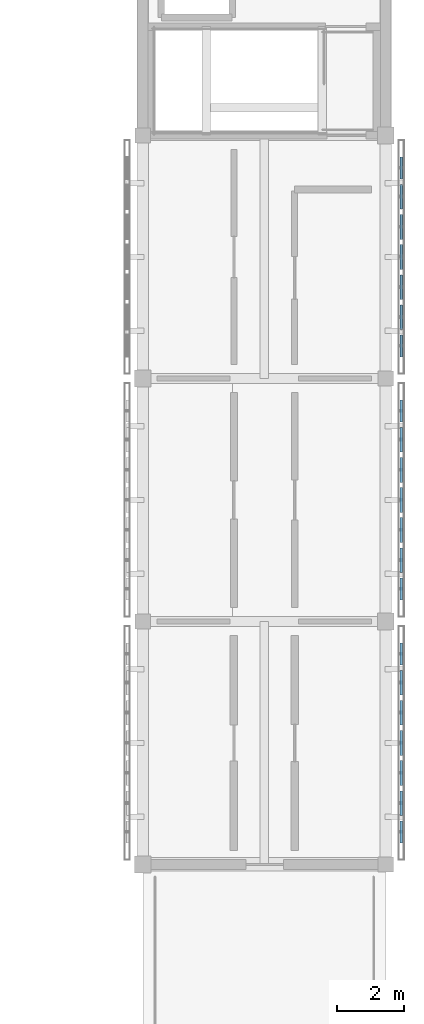
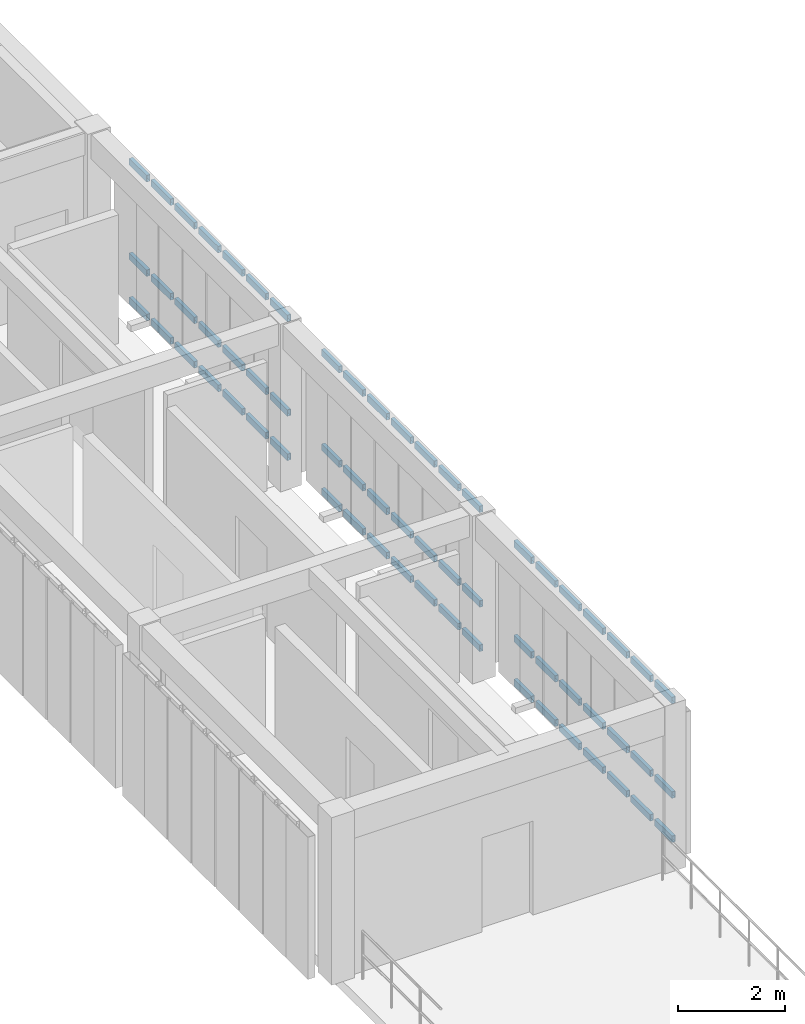
# One storey, part 12 of 33: 63 members, 3 elements without a shape of their own.
"""IFC4 building model written with IfcOpenShell, lengths in metres."""

from ifc_helpers import new_model, si_unit, direction, frame, origin, origin_2d, place, context, subcontext, project, spatial, hollow_rectangle, extrude, material, material_profile, profile_set, type_object, element, aggregate, save


model = new_model("IFC4")

# Units and contexts
model_context = context("Model", 3, precision=1e-05, world=origin(), true_north=direction((0.0, 1.0)))
body_context = subcontext(model_context, "Body", "Model", "MODEL_VIEW")
ifc_project = project(units=[si_unit("LENGTHUNIT", "METRE"), si_unit("AREAUNIT", "SQUARE_METRE"), si_unit("VOLUMEUNIT", "CUBIC_METRE"), si_unit("PLANEANGLEUNIT", "RADIAN"), si_unit("MASSUNIT", "GRAM", prefix="KILO")], contexts=[model_context])

# Site, building, storey
site_placement = place(None, origin())
site = spatial("IfcSite", under=ifc_project, at=site_placement, CompositionType="ELEMENT")
building_placement = place(site_placement, origin())
building = spatial("IfcBuilding", under=site, at=building_placement, Name="Aldebral Square Health Centre", CompositionType="ELEMENT")
storey_placement = place(building_placement, frame((0.0, 0.0, 17.550048828125)))
storey = spatial("IfcBuildingStorey", under=building, at=storey_placement, Name="L04", CompositionType="ELEMENT", Elevation=17.550048828125)

# Curtain wall, members
ifc_material_1 = material(Name="Aluminium and low-E solar glass", Category="aluminium")
curtain_wall_type = type_object("IfcCurtainWallType", Name="CW-FIN-SYS", PredefinedType="USERDEFINED", material=ifc_material_1)
curtain_wall_1_placement = place(storey_placement, origin())
curtain_wall_1 = element("IfcCurtainWall", 1, at=curtain_wall_1_placement, inside=storey, type_object=curtain_wall_type, Name="L04 V5 finned curtain wall L04-V5-22-10-E", ObjectType="SOLAR_CURTAIN_WALL", PredefinedType="USERDEFINED")
ifc_material_2 = material(Name="Anodised aluminium transom", Category="aluminium")
ifc_material_profile = material_profile(ifc_material_2, hollow_rectangle(XDim=0.074951171875, YDim=0.14990234375, WallThickness=0.00390625, at=origin_2d()), Name="CWT 75x150x4")
ifc_profile_set = profile_set([ifc_material_profile], Name="Anodised aluminium transom")
member_type = type_object("IfcMemberType", Name="CWT-STD", PredefinedType="USERDEFINED", material=ifc_profile_set)
member_1_placement = place(storey_placement, frame((166.06005859375, 72.639892578125, 0.037353515625), z_axis=(0.0, 1.0, 0.0), x_axis=(-1.0, 0.0, 0.0)))
member_1 = element("IfcMember", 2, at=member_1_placement, type_object=member_type, Name="CW1 transom 1.1", ObjectType="TRANSOM", PredefinedType="USERDEFINED", context=body_context, shape_type="SweptSolid", body=[
    extrude(hollow_rectangle(XDim=0.074951171875, YDim=0.14990234375, WallThickness=0.00390625, at=origin_2d()), origin(), (0.0, 0.0, 1.0), 0.651611328125),
])
member_2_placement = place(storey_placement, frame((166.06005859375, 72.639892578125, 1.050048828125), z_axis=(0.0, 1.0, 0.0), x_axis=(-1.0, 0.0, 0.0)))
member_2 = element("IfcMember", 3, at=member_2_placement, type_object=member_type, Name="CW1 transom 1.2", ObjectType="TRANSOM", PredefinedType="USERDEFINED", context=body_context, shape_type="SweptSolid", body=[
    extrude(hollow_rectangle(XDim=0.074951171875, YDim=0.14990234375, WallThickness=0.00390625, at=origin_2d()), origin(), (0.0, 0.0, 1.0), 0.651611328125),
])
member_3_placement = place(storey_placement, frame((166.06005859375, 72.639892578125, 3.21240234375), z_axis=(0.0, 1.0, 0.0), x_axis=(-1.0, 0.0, 0.0)))
member_3 = element("IfcMember", 4, at=member_3_placement, type_object=member_type, Name="CW1 transom 1.3", ObjectType="TRANSOM", PredefinedType="USERDEFINED", context=body_context, shape_type="SweptSolid", body=[
    extrude(hollow_rectangle(XDim=0.074951171875, YDim=0.14990234375, WallThickness=0.00390625, at=origin_2d()), origin(), (0.0, 0.0, 1.0), 0.651611328125),
])
member_4_placement = place(storey_placement, frame((166.06005859375, 73.451416015625, 0.037353515625), z_axis=(0.0, 1.0, 0.0), x_axis=(-1.0, 0.0, 0.0)))
member_4 = element("IfcMember", 5, at=member_4_placement, type_object=member_type, Name="CW1 transom 2.1", ObjectType="TRANSOM", PredefinedType="USERDEFINED", context=body_context, shape_type="SweptSolid", body=[
    extrude(hollow_rectangle(XDim=0.074951171875, YDim=0.14990234375, WallThickness=0.00390625, at=origin_2d()), origin(), (0.0, 0.0, 1.0), 0.7314453125),
])
member_5_placement = place(storey_placement, frame((166.06005859375, 73.451416015625, 1.050048828125), z_axis=(0.0, 1.0, 0.0), x_axis=(-1.0, 0.0, 0.0)))
member_5 = element("IfcMember", 6, at=member_5_placement, type_object=member_type, Name="CW1 transom 2.2", ObjectType="TRANSOM", PredefinedType="USERDEFINED", context=body_context, shape_type="SweptSolid", body=[
    extrude(hollow_rectangle(XDim=0.074951171875, YDim=0.14990234375, WallThickness=0.00390625, at=origin_2d()), origin(), (0.0, 0.0, 1.0), 0.7314453125),
])
member_6_placement = place(storey_placement, frame((166.06005859375, 73.451416015625, 3.21240234375), z_axis=(0.0, 1.0, 0.0), x_axis=(-1.0, 0.0, 0.0)))
member_6 = element("IfcMember", 7, at=member_6_placement, type_object=member_type, Name="CW1 transom 2.3", ObjectType="TRANSOM", PredefinedType="USERDEFINED", context=body_context, shape_type="SweptSolid", body=[
    extrude(hollow_rectangle(XDim=0.074951171875, YDim=0.14990234375, WallThickness=0.00390625, at=origin_2d()), origin(), (0.0, 0.0, 1.0), 0.7314453125),
])
member_7_placement = place(storey_placement, frame((166.06005859375, 74.3427734375, 0.037353515625), z_axis=(0.0, 1.0, 0.0), x_axis=(-1.0, 0.0, 0.0)))
member_7 = element("IfcMember", 8, at=member_7_placement, type_object=member_type, Name="CW1 transom 3.1", ObjectType="TRANSOM", PredefinedType="USERDEFINED", context=body_context, shape_type="SweptSolid", body=[
    extrude(hollow_rectangle(XDim=0.074951171875, YDim=0.14990234375, WallThickness=0.00390625, at=origin_2d()), origin(), (0.0, 0.0, 1.0), 0.7314453125),
])
member_8_placement = place(storey_placement, frame((166.06005859375, 74.3427734375, 1.050048828125), z_axis=(0.0, 1.0, 0.0), x_axis=(-1.0, 0.0, 0.0)))
member_8 = element("IfcMember", 9, at=member_8_placement, type_object=member_type, Name="CW1 transom 3.2", ObjectType="TRANSOM", PredefinedType="USERDEFINED", context=body_context, shape_type="SweptSolid", body=[
    extrude(hollow_rectangle(XDim=0.074951171875, YDim=0.14990234375, WallThickness=0.00390625, at=origin_2d()), origin(), (0.0, 0.0, 1.0), 0.7314453125),
])
member_9_placement = place(storey_placement, frame((166.06005859375, 74.3427734375, 3.21240234375), z_axis=(0.0, 1.0, 0.0), x_axis=(-1.0, 0.0, 0.0)))
member_9 = element("IfcMember", 10, at=member_9_placement, type_object=member_type, Name="CW1 transom 3.3", ObjectType="TRANSOM", PredefinedType="USERDEFINED", context=body_context, shape_type="SweptSolid", body=[
    extrude(hollow_rectangle(XDim=0.074951171875, YDim=0.14990234375, WallThickness=0.00390625, at=origin_2d()), origin(), (0.0, 0.0, 1.0), 0.7314453125),
])
member_10_placement = place(storey_placement, frame((166.06005859375, 75.234375, 0.037353515625), z_axis=(0.0, 1.0, 0.0), x_axis=(-1.0, 0.0, 0.0)))
member_10 = element("IfcMember", 11, at=member_10_placement, type_object=member_type, Name="CW1 transom 4.1", ObjectType="TRANSOM", PredefinedType="USERDEFINED", context=body_context, shape_type="SweptSolid", body=[
    extrude(hollow_rectangle(XDim=0.074951171875, YDim=0.14990234375, WallThickness=0.00390625, at=origin_2d()), origin(), (0.0, 0.0, 1.0), 0.7314453125),
])
member_11_placement = place(storey_placement, frame((166.06005859375, 75.234375, 1.050048828125), z_axis=(0.0, 1.0, 0.0), x_axis=(-1.0, 0.0, 0.0)))
member_11 = element("IfcMember", 12, at=member_11_placement, type_object=member_type, Name="CW1 transom 4.2", ObjectType="TRANSOM", PredefinedType="USERDEFINED", context=body_context, shape_type="SweptSolid", body=[
    extrude(hollow_rectangle(XDim=0.074951171875, YDim=0.14990234375, WallThickness=0.00390625, at=origin_2d()), origin(), (0.0, 0.0, 1.0), 0.7314453125),
])
member_12_placement = place(storey_placement, frame((166.06005859375, 75.234375, 3.21240234375), z_axis=(0.0, 1.0, 0.0), x_axis=(-1.0, 0.0, 0.0)))
member_12 = element("IfcMember", 13, at=member_12_placement, type_object=member_type, Name="CW1 transom 4.3", ObjectType="TRANSOM", PredefinedType="USERDEFINED", context=body_context, shape_type="SweptSolid", body=[
    extrude(hollow_rectangle(XDim=0.074951171875, YDim=0.14990234375, WallThickness=0.00390625, at=origin_2d()), origin(), (0.0, 0.0, 1.0), 0.7314453125),
])
member_13_placement = place(storey_placement, frame((166.06005859375, 76.125732421875, 0.037353515625), z_axis=(0.0, 1.0, 0.0), x_axis=(-1.0, 0.0, 0.0)))
member_13 = element("IfcMember", 14, at=member_13_placement, type_object=member_type, Name="CW1 transom 5.1", ObjectType="TRANSOM", PredefinedType="USERDEFINED", context=body_context, shape_type="SweptSolid", body=[
    extrude(hollow_rectangle(XDim=0.074951171875, YDim=0.14990234375, WallThickness=0.00390625, at=origin_2d()), origin(), (0.0, 0.0, 1.0), 0.7314453125),
])
member_14_placement = place(storey_placement, frame((166.06005859375, 76.125732421875, 1.050048828125), z_axis=(0.0, 1.0, 0.0), x_axis=(-1.0, 0.0, 0.0)))
member_14 = element("IfcMember", 15, at=member_14_placement, type_object=member_type, Name="CW1 transom 5.2", ObjectType="TRANSOM", PredefinedType="USERDEFINED", context=body_context, shape_type="SweptSolid", body=[
    extrude(hollow_rectangle(XDim=0.074951171875, YDim=0.14990234375, WallThickness=0.00390625, at=origin_2d()), origin(), (0.0, 0.0, 1.0), 0.7314453125),
])
member_15_placement = place(storey_placement, frame((166.06005859375, 76.125732421875, 3.21240234375), z_axis=(0.0, 1.0, 0.0), x_axis=(-1.0, 0.0, 0.0)))
member_15 = element("IfcMember", 16, at=member_15_placement, type_object=member_type, Name="CW1 transom 5.3", ObjectType="TRANSOM", PredefinedType="USERDEFINED", context=body_context, shape_type="SweptSolid", body=[
    extrude(hollow_rectangle(XDim=0.074951171875, YDim=0.14990234375, WallThickness=0.00390625, at=origin_2d()), origin(), (0.0, 0.0, 1.0), 0.7314453125),
])
member_16_placement = place(storey_placement, frame((166.06005859375, 77.01708984375, 0.037353515625), z_axis=(0.0, 1.0, 0.0), x_axis=(-1.0, 0.0, 0.0)))
member_16 = element("IfcMember", 17, at=member_16_placement, type_object=member_type, Name="CW1 transom 6.1", ObjectType="TRANSOM", PredefinedType="USERDEFINED", context=body_context, shape_type="SweptSolid", body=[
    extrude(hollow_rectangle(XDim=0.074951171875, YDim=0.14990234375, WallThickness=0.00390625, at=origin_2d()), origin(), (0.0, 0.0, 1.0), 0.7314453125),
])
member_17_placement = place(storey_placement, frame((166.06005859375, 77.01708984375, 1.050048828125), z_axis=(0.0, 1.0, 0.0), x_axis=(-1.0, 0.0, 0.0)))
member_17 = element("IfcMember", 18, at=member_17_placement, type_object=member_type, Name="CW1 transom 6.2", ObjectType="TRANSOM", PredefinedType="USERDEFINED", context=body_context, shape_type="SweptSolid", body=[
    extrude(hollow_rectangle(XDim=0.074951171875, YDim=0.14990234375, WallThickness=0.00390625, at=origin_2d()), origin(), (0.0, 0.0, 1.0), 0.7314453125),
])
member_18_placement = place(storey_placement, frame((166.06005859375, 77.01708984375, 3.21240234375), z_axis=(0.0, 1.0, 0.0), x_axis=(-1.0, 0.0, 0.0)))
member_18 = element("IfcMember", 19, at=member_18_placement, type_object=member_type, Name="CW1 transom 6.3", ObjectType="TRANSOM", PredefinedType="USERDEFINED", context=body_context, shape_type="SweptSolid", body=[
    extrude(hollow_rectangle(XDim=0.074951171875, YDim=0.14990234375, WallThickness=0.00390625, at=origin_2d()), origin(), (0.0, 0.0, 1.0), 0.7314453125),
])
member_19_placement = place(storey_placement, frame((166.06005859375, 77.90869140625, 0.037353515625), z_axis=(0.0, 1.0, 0.0), x_axis=(-1.0, 0.0, 0.0)))
member_19 = element("IfcMember", 20, at=member_19_placement, type_object=member_type, Name="CW1 transom 7.1", ObjectType="TRANSOM", PredefinedType="USERDEFINED", context=body_context, shape_type="SweptSolid", body=[
    extrude(hollow_rectangle(XDim=0.074951171875, YDim=0.14990234375, WallThickness=0.00390625, at=origin_2d()), origin(), (0.0, 0.0, 1.0), 0.6513671875),
])
member_20_placement = place(storey_placement, frame((166.06005859375, 77.90869140625, 1.050048828125), z_axis=(0.0, 1.0, 0.0), x_axis=(-1.0, 0.0, 0.0)))
member_20 = element("IfcMember", 21, at=member_20_placement, type_object=member_type, Name="CW1 transom 7.2", ObjectType="TRANSOM", PredefinedType="USERDEFINED", context=body_context, shape_type="SweptSolid", body=[
    extrude(hollow_rectangle(XDim=0.074951171875, YDim=0.14990234375, WallThickness=0.00390625, at=origin_2d()), origin(), (0.0, 0.0, 1.0), 0.6513671875),
])
member_21_placement = place(storey_placement, frame((166.06005859375, 77.90869140625, 3.21240234375), z_axis=(0.0, 1.0, 0.0), x_axis=(-1.0, 0.0, 0.0)))
member_21 = element("IfcMember", 22, at=member_21_placement, type_object=member_type, Name="CW1 transom 7.3", ObjectType="TRANSOM", PredefinedType="USERDEFINED", context=body_context, shape_type="SweptSolid", body=[
    extrude(hollow_rectangle(XDim=0.074951171875, YDim=0.14990234375, WallThickness=0.00390625, at=origin_2d()), origin(), (0.0, 0.0, 1.0), 0.6513671875),
])
aggregate(curtain_wall_1, [member_1, member_2, member_3, member_4, member_5, member_6, member_7, member_8, member_9, member_10, member_11, member_12, member_13, member_14, member_15, member_16, member_17, member_18, member_19, member_20, member_21])

curtain_wall_2_placement = place(storey_placement, origin())
curtain_wall_2 = element("IfcCurtainWall", 23, at=curtain_wall_2_placement, inside=storey, type_object=curtain_wall_type, Name="L04 V5 finned curtain wall L04-V5-22-11-E", ObjectType="SOLAR_CURTAIN_WALL", PredefinedType="USERDEFINED")
member_22_placement = place(storey_placement, frame((166.06005859375, 79.840087890625, 0.037353515625), z_axis=(0.0, 1.0, 0.0), x_axis=(-1.0, 0.0, 0.0)))
member_22 = element("IfcMember", 24, at=member_22_placement, type_object=member_type, Name="CW1 transom 1.1", ObjectType="TRANSOM", PredefinedType="USERDEFINED", context=body_context, shape_type="SweptSolid", body=[
    extrude(hollow_rectangle(XDim=0.074951171875, YDim=0.14990234375, WallThickness=0.00390625, at=origin_2d()), origin(), (0.0, 0.0, 1.0), 0.6513671875),
])
member_23_placement = place(storey_placement, frame((166.06005859375, 79.840087890625, 1.050048828125), z_axis=(0.0, 1.0, 0.0), x_axis=(-1.0, 0.0, 0.0)))
member_23 = element("IfcMember", 25, at=member_23_placement, type_object=member_type, Name="CW1 transom 1.2", ObjectType="TRANSOM", PredefinedType="USERDEFINED", context=body_context, shape_type="SweptSolid", body=[
    extrude(hollow_rectangle(XDim=0.074951171875, YDim=0.14990234375, WallThickness=0.00390625, at=origin_2d()), origin(), (0.0, 0.0, 1.0), 0.6513671875),
])
member_24_placement = place(storey_placement, frame((166.06005859375, 79.840087890625, 3.21240234375), z_axis=(0.0, 1.0, 0.0), x_axis=(-1.0, 0.0, 0.0)))
member_24 = element("IfcMember", 26, at=member_24_placement, type_object=member_type, Name="CW1 transom 1.3", ObjectType="TRANSOM", PredefinedType="USERDEFINED", context=body_context, shape_type="SweptSolid", body=[
    extrude(hollow_rectangle(XDim=0.074951171875, YDim=0.14990234375, WallThickness=0.00390625, at=origin_2d()), origin(), (0.0, 0.0, 1.0), 0.6513671875),
])
member_25_placement = place(storey_placement, frame((166.06005859375, 80.6513671875, 0.037353515625), z_axis=(0.0, 1.0, 0.0), x_axis=(-1.0, 0.0, 0.0)))
member_25 = element("IfcMember", 27, at=member_25_placement, type_object=member_type, Name="CW1 transom 2.1", ObjectType="TRANSOM", PredefinedType="USERDEFINED", context=body_context, shape_type="SweptSolid", body=[
    extrude(hollow_rectangle(XDim=0.074951171875, YDim=0.14990234375, WallThickness=0.00390625, at=origin_2d()), origin(), (0.0, 0.0, 1.0), 0.7314453125),
])
member_26_placement = place(storey_placement, frame((166.06005859375, 80.6513671875, 1.050048828125), z_axis=(0.0, 1.0, 0.0), x_axis=(-1.0, 0.0, 0.0)))
member_26 = element("IfcMember", 28, at=member_26_placement, type_object=member_type, Name="CW1 transom 2.2", ObjectType="TRANSOM", PredefinedType="USERDEFINED", context=body_context, shape_type="SweptSolid", body=[
    extrude(hollow_rectangle(XDim=0.074951171875, YDim=0.14990234375, WallThickness=0.00390625, at=origin_2d()), origin(), (0.0, 0.0, 1.0), 0.7314453125),
])
member_27_placement = place(storey_placement, frame((166.06005859375, 80.6513671875, 3.21240234375), z_axis=(0.0, 1.0, 0.0), x_axis=(-1.0, 0.0, 0.0)))
member_27 = element("IfcMember", 29, at=member_27_placement, type_object=member_type, Name="CW1 transom 2.3", ObjectType="TRANSOM", PredefinedType="USERDEFINED", context=body_context, shape_type="SweptSolid", body=[
    extrude(hollow_rectangle(XDim=0.074951171875, YDim=0.14990234375, WallThickness=0.00390625, at=origin_2d()), origin(), (0.0, 0.0, 1.0), 0.7314453125),
])
member_28_placement = place(storey_placement, frame((166.06005859375, 81.54296875, 0.037353515625), z_axis=(0.0, 1.0, 0.0), x_axis=(-1.0, 0.0, 0.0)))
member_28 = element("IfcMember", 30, at=member_28_placement, type_object=member_type, Name="CW1 transom 3.1", ObjectType="TRANSOM", PredefinedType="USERDEFINED", context=body_context, shape_type="SweptSolid", body=[
    extrude(hollow_rectangle(XDim=0.074951171875, YDim=0.14990234375, WallThickness=0.00390625, at=origin_2d()), origin(), (0.0, 0.0, 1.0), 0.731201171875),
])
member_29_placement = place(storey_placement, frame((166.06005859375, 81.54296875, 1.050048828125), z_axis=(0.0, 1.0, 0.0), x_axis=(-1.0, 0.0, 0.0)))
member_29 = element("IfcMember", 31, at=member_29_placement, type_object=member_type, Name="CW1 transom 3.2", ObjectType="TRANSOM", PredefinedType="USERDEFINED", context=body_context, shape_type="SweptSolid", body=[
    extrude(hollow_rectangle(XDim=0.074951171875, YDim=0.14990234375, WallThickness=0.00390625, at=origin_2d()), origin(), (0.0, 0.0, 1.0), 0.731201171875),
])
member_30_placement = place(storey_placement, frame((166.06005859375, 81.54296875, 3.21240234375), z_axis=(0.0, 1.0, 0.0), x_axis=(-1.0, 0.0, 0.0)))
member_30 = element("IfcMember", 32, at=member_30_placement, type_object=member_type, Name="CW1 transom 3.3", ObjectType="TRANSOM", PredefinedType="USERDEFINED", context=body_context, shape_type="SweptSolid", body=[
    extrude(hollow_rectangle(XDim=0.074951171875, YDim=0.14990234375, WallThickness=0.00390625, at=origin_2d()), origin(), (0.0, 0.0, 1.0), 0.731201171875),
])
member_31_placement = place(storey_placement, frame((166.06005859375, 82.434326171875, 0.037353515625), z_axis=(0.0, 1.0, 0.0), x_axis=(-1.0, 0.0, 0.0)))
member_31 = element("IfcMember", 33, at=member_31_placement, type_object=member_type, Name="CW1 transom 4.1", ObjectType="TRANSOM", PredefinedType="USERDEFINED", context=body_context, shape_type="SweptSolid", body=[
    extrude(hollow_rectangle(XDim=0.074951171875, YDim=0.14990234375, WallThickness=0.00390625, at=origin_2d()), origin(), (0.0, 0.0, 1.0), 0.7314453125),
])
member_32_placement = place(storey_placement, frame((166.06005859375, 82.434326171875, 1.050048828125), z_axis=(0.0, 1.0, 0.0), x_axis=(-1.0, 0.0, 0.0)))
member_32 = element("IfcMember", 34, at=member_32_placement, type_object=member_type, Name="CW1 transom 4.2", ObjectType="TRANSOM", PredefinedType="USERDEFINED", context=body_context, shape_type="SweptSolid", body=[
    extrude(hollow_rectangle(XDim=0.074951171875, YDim=0.14990234375, WallThickness=0.00390625, at=origin_2d()), origin(), (0.0, 0.0, 1.0), 0.7314453125),
])
member_33_placement = place(storey_placement, frame((166.06005859375, 82.434326171875, 3.21240234375), z_axis=(0.0, 1.0, 0.0), x_axis=(-1.0, 0.0, 0.0)))
member_33 = element("IfcMember", 35, at=member_33_placement, type_object=member_type, Name="CW1 transom 4.3", ObjectType="TRANSOM", PredefinedType="USERDEFINED", context=body_context, shape_type="SweptSolid", body=[
    extrude(hollow_rectangle(XDim=0.074951171875, YDim=0.14990234375, WallThickness=0.00390625, at=origin_2d()), origin(), (0.0, 0.0, 1.0), 0.7314453125),
])
member_34_placement = place(storey_placement, frame((166.06005859375, 83.32568359375, 0.037353515625), z_axis=(0.0, 1.0, 0.0), x_axis=(-1.0, 0.0, 0.0)))
member_34 = element("IfcMember", 36, at=member_34_placement, type_object=member_type, Name="CW1 transom 5.1", ObjectType="TRANSOM", PredefinedType="USERDEFINED", context=body_context, shape_type="SweptSolid", body=[
    extrude(hollow_rectangle(XDim=0.074951171875, YDim=0.14990234375, WallThickness=0.00390625, at=origin_2d()), origin(), (0.0, 0.0, 1.0), 0.7314453125),
])
member_35_placement = place(storey_placement, frame((166.06005859375, 83.32568359375, 1.050048828125), z_axis=(0.0, 1.0, 0.0), x_axis=(-1.0, 0.0, 0.0)))
member_35 = element("IfcMember", 37, at=member_35_placement, type_object=member_type, Name="CW1 transom 5.2", ObjectType="TRANSOM", PredefinedType="USERDEFINED", context=body_context, shape_type="SweptSolid", body=[
    extrude(hollow_rectangle(XDim=0.074951171875, YDim=0.14990234375, WallThickness=0.00390625, at=origin_2d()), origin(), (0.0, 0.0, 1.0), 0.7314453125),
])
member_36_placement = place(storey_placement, frame((166.06005859375, 83.32568359375, 3.21240234375), z_axis=(0.0, 1.0, 0.0), x_axis=(-1.0, 0.0, 0.0)))
member_36 = element("IfcMember", 38, at=member_36_placement, type_object=member_type, Name="CW1 transom 5.3", ObjectType="TRANSOM", PredefinedType="USERDEFINED", context=body_context, shape_type="SweptSolid", body=[
    extrude(hollow_rectangle(XDim=0.074951171875, YDim=0.14990234375, WallThickness=0.00390625, at=origin_2d()), origin(), (0.0, 0.0, 1.0), 0.7314453125),
])
member_37_placement = place(storey_placement, frame((166.06005859375, 84.217041015625, 0.037353515625), z_axis=(0.0, 1.0, 0.0), x_axis=(-1.0, 0.0, 0.0)))
member_37 = element("IfcMember", 39, at=member_37_placement, type_object=member_type, Name="CW1 transom 6.1", ObjectType="TRANSOM", PredefinedType="USERDEFINED", context=body_context, shape_type="SweptSolid", body=[
    extrude(hollow_rectangle(XDim=0.074951171875, YDim=0.14990234375, WallThickness=0.00390625, at=origin_2d()), origin(), (0.0, 0.0, 1.0), 0.7314453125),
])
member_38_placement = place(storey_placement, frame((166.06005859375, 84.217041015625, 1.050048828125), z_axis=(0.0, 1.0, 0.0), x_axis=(-1.0, 0.0, 0.0)))
member_38 = element("IfcMember", 40, at=member_38_placement, type_object=member_type, Name="CW1 transom 6.2", ObjectType="TRANSOM", PredefinedType="USERDEFINED", context=body_context, shape_type="SweptSolid", body=[
    extrude(hollow_rectangle(XDim=0.074951171875, YDim=0.14990234375, WallThickness=0.00390625, at=origin_2d()), origin(), (0.0, 0.0, 1.0), 0.7314453125),
])
member_39_placement = place(storey_placement, frame((166.06005859375, 84.217041015625, 3.21240234375), z_axis=(0.0, 1.0, 0.0), x_axis=(-1.0, 0.0, 0.0)))
member_39 = element("IfcMember", 41, at=member_39_placement, type_object=member_type, Name="CW1 transom 6.3", ObjectType="TRANSOM", PredefinedType="USERDEFINED", context=body_context, shape_type="SweptSolid", body=[
    extrude(hollow_rectangle(XDim=0.074951171875, YDim=0.14990234375, WallThickness=0.00390625, at=origin_2d()), origin(), (0.0, 0.0, 1.0), 0.7314453125),
])
member_40_placement = place(storey_placement, frame((166.06005859375, 85.108642578125, 0.037353515625), z_axis=(0.0, 1.0, 0.0), x_axis=(-1.0, 0.0, 0.0)))
member_40 = element("IfcMember", 42, at=member_40_placement, type_object=member_type, Name="CW1 transom 7.1", ObjectType="TRANSOM", PredefinedType="USERDEFINED", context=body_context, shape_type="SweptSolid", body=[
    extrude(hollow_rectangle(XDim=0.074951171875, YDim=0.14990234375, WallThickness=0.00390625, at=origin_2d()), origin(), (0.0, 0.0, 1.0), 0.6513671875),
])
member_41_placement = place(storey_placement, frame((166.06005859375, 85.108642578125, 1.050048828125), z_axis=(0.0, 1.0, 0.0), x_axis=(-1.0, 0.0, 0.0)))
member_41 = element("IfcMember", 43, at=member_41_placement, type_object=member_type, Name="CW1 transom 7.2", ObjectType="TRANSOM", PredefinedType="USERDEFINED", context=body_context, shape_type="SweptSolid", body=[
    extrude(hollow_rectangle(XDim=0.074951171875, YDim=0.14990234375, WallThickness=0.00390625, at=origin_2d()), origin(), (0.0, 0.0, 1.0), 0.6513671875),
])
member_42_placement = place(storey_placement, frame((166.06005859375, 85.108642578125, 3.21240234375), z_axis=(0.0, 1.0, 0.0), x_axis=(-1.0, 0.0, 0.0)))
member_42 = element("IfcMember", 44, at=member_42_placement, type_object=member_type, Name="CW1 transom 7.3", ObjectType="TRANSOM", PredefinedType="USERDEFINED", context=body_context, shape_type="SweptSolid", body=[
    extrude(hollow_rectangle(XDim=0.074951171875, YDim=0.14990234375, WallThickness=0.00390625, at=origin_2d()), origin(), (0.0, 0.0, 1.0), 0.6513671875),
])
aggregate(curtain_wall_2, [member_22, member_23, member_24, member_25, member_26, member_27, member_28, member_29, member_30, member_31, member_32, member_33, member_34, member_35, member_36, member_37, member_38, member_39, member_40, member_41, member_42])

curtain_wall_3_placement = place(storey_placement, origin())
curtain_wall_3 = element("IfcCurtainWall", 45, at=curtain_wall_3_placement, inside=storey, type_object=curtain_wall_type, Name="L04 V5 finned curtain wall L04-V5-22-12-E", ObjectType="SOLAR_CURTAIN_WALL", PredefinedType="USERDEFINED")
member_43_placement = place(storey_placement, frame((166.06005859375, 87.0400390625, 0.037353515625), z_axis=(0.0, 1.0, 0.0), x_axis=(-1.0, 0.0, 0.0)))
member_43 = element("IfcMember", 46, at=member_43_placement, type_object=member_type, Name="CW1 transom 1.1", ObjectType="TRANSOM", PredefinedType="USERDEFINED", context=body_context, shape_type="SweptSolid", body=[
    extrude(hollow_rectangle(XDim=0.074951171875, YDim=0.14990234375, WallThickness=0.00390625, at=origin_2d()), origin(), (0.0, 0.0, 1.0), 0.6513671875),
])
member_44_placement = place(storey_placement, frame((166.06005859375, 87.0400390625, 1.050048828125), z_axis=(0.0, 1.0, 0.0), x_axis=(-1.0, 0.0, 0.0)))
member_44 = element("IfcMember", 47, at=member_44_placement, type_object=member_type, Name="CW1 transom 1.2", ObjectType="TRANSOM", PredefinedType="USERDEFINED", context=body_context, shape_type="SweptSolid", body=[
    extrude(hollow_rectangle(XDim=0.074951171875, YDim=0.14990234375, WallThickness=0.00390625, at=origin_2d()), origin(), (0.0, 0.0, 1.0), 0.6513671875),
])
member_45_placement = place(storey_placement, frame((166.06005859375, 87.0400390625, 3.21240234375), z_axis=(0.0, 1.0, 0.0), x_axis=(-1.0, 0.0, 0.0)))
member_45 = element("IfcMember", 48, at=member_45_placement, type_object=member_type, Name="CW1 transom 1.3", ObjectType="TRANSOM", PredefinedType="USERDEFINED", context=body_context, shape_type="SweptSolid", body=[
    extrude(hollow_rectangle(XDim=0.074951171875, YDim=0.14990234375, WallThickness=0.00390625, at=origin_2d()), origin(), (0.0, 0.0, 1.0), 0.6513671875),
])
member_46_placement = place(storey_placement, frame((166.06005859375, 87.851318359375, 0.037353515625), z_axis=(0.0, 1.0, 0.0), x_axis=(-1.0, 0.0, 0.0)))
member_46 = element("IfcMember", 49, at=member_46_placement, type_object=member_type, Name="CW1 transom 2.1", ObjectType="TRANSOM", PredefinedType="USERDEFINED", context=body_context, shape_type="SweptSolid", body=[
    extrude(hollow_rectangle(XDim=0.074951171875, YDim=0.14990234375, WallThickness=0.00390625, at=origin_2d()), origin(), (0.0, 0.0, 1.0), 0.7314453125),
])
member_47_placement = place(storey_placement, frame((166.06005859375, 87.851318359375, 1.050048828125), z_axis=(0.0, 1.0, 0.0), x_axis=(-1.0, 0.0, 0.0)))
member_47 = element("IfcMember", 50, at=member_47_placement, type_object=member_type, Name="CW1 transom 2.2", ObjectType="TRANSOM", PredefinedType="USERDEFINED", context=body_context, shape_type="SweptSolid", body=[
    extrude(hollow_rectangle(XDim=0.074951171875, YDim=0.14990234375, WallThickness=0.00390625, at=origin_2d()), origin(), (0.0, 0.0, 1.0), 0.7314453125),
])
member_48_placement = place(storey_placement, frame((166.06005859375, 87.851318359375, 3.21240234375), z_axis=(0.0, 1.0, 0.0), x_axis=(-1.0, 0.0, 0.0)))
member_48 = element("IfcMember", 51, at=member_48_placement, type_object=member_type, Name="CW1 transom 2.3", ObjectType="TRANSOM", PredefinedType="USERDEFINED", context=body_context, shape_type="SweptSolid", body=[
    extrude(hollow_rectangle(XDim=0.074951171875, YDim=0.14990234375, WallThickness=0.00390625, at=origin_2d()), origin(), (0.0, 0.0, 1.0), 0.7314453125),
])
member_49_placement = place(storey_placement, frame((166.06005859375, 88.742919921875, 0.037353515625), z_axis=(0.0, 1.0, 0.0), x_axis=(-1.0, 0.0, 0.0)))
member_49 = element("IfcMember", 52, at=member_49_placement, type_object=member_type, Name="CW1 transom 3.1", ObjectType="TRANSOM", PredefinedType="USERDEFINED", context=body_context, shape_type="SweptSolid", body=[
    extrude(hollow_rectangle(XDim=0.074951171875, YDim=0.14990234375, WallThickness=0.00390625, at=origin_2d()), origin(), (0.0, 0.0, 1.0), 0.7314453125),
])
member_50_placement = place(storey_placement, frame((166.06005859375, 88.742919921875, 1.050048828125), z_axis=(0.0, 1.0, 0.0), x_axis=(-1.0, 0.0, 0.0)))
member_50 = element("IfcMember", 53, at=member_50_placement, type_object=member_type, Name="CW1 transom 3.2", ObjectType="TRANSOM", PredefinedType="USERDEFINED", context=body_context, shape_type="SweptSolid", body=[
    extrude(hollow_rectangle(XDim=0.074951171875, YDim=0.14990234375, WallThickness=0.00390625, at=origin_2d()), origin(), (0.0, 0.0, 1.0), 0.7314453125),
])
member_51_placement = place(storey_placement, frame((166.06005859375, 88.742919921875, 3.21240234375), z_axis=(0.0, 1.0, 0.0), x_axis=(-1.0, 0.0, 0.0)))
member_51 = element("IfcMember", 54, at=member_51_placement, type_object=member_type, Name="CW1 transom 3.3", ObjectType="TRANSOM", PredefinedType="USERDEFINED", context=body_context, shape_type="SweptSolid", body=[
    extrude(hollow_rectangle(XDim=0.074951171875, YDim=0.14990234375, WallThickness=0.00390625, at=origin_2d()), origin(), (0.0, 0.0, 1.0), 0.7314453125),
])
member_52_placement = place(storey_placement, frame((166.06005859375, 89.63427734375, 0.037353515625), z_axis=(0.0, 1.0, 0.0), x_axis=(-1.0, 0.0, 0.0)))
member_52 = element("IfcMember", 55, at=member_52_placement, type_object=member_type, Name="CW1 transom 4.1", ObjectType="TRANSOM", PredefinedType="USERDEFINED", context=body_context, shape_type="SweptSolid", body=[
    extrude(hollow_rectangle(XDim=0.074951171875, YDim=0.14990234375, WallThickness=0.00390625, at=origin_2d()), origin(), (0.0, 0.0, 1.0), 0.7314453125),
])
member_53_placement = place(storey_placement, frame((166.06005859375, 89.63427734375, 1.050048828125), z_axis=(0.0, 1.0, 0.0), x_axis=(-1.0, 0.0, 0.0)))
member_53 = element("IfcMember", 56, at=member_53_placement, type_object=member_type, Name="CW1 transom 4.2", ObjectType="TRANSOM", PredefinedType="USERDEFINED", context=body_context, shape_type="SweptSolid", body=[
    extrude(hollow_rectangle(XDim=0.074951171875, YDim=0.14990234375, WallThickness=0.00390625, at=origin_2d()), origin(), (0.0, 0.0, 1.0), 0.7314453125),
])
member_54_placement = place(storey_placement, frame((166.06005859375, 89.63427734375, 3.21240234375), z_axis=(0.0, 1.0, 0.0), x_axis=(-1.0, 0.0, 0.0)))
member_54 = element("IfcMember", 57, at=member_54_placement, type_object=member_type, Name="CW1 transom 4.3", ObjectType="TRANSOM", PredefinedType="USERDEFINED", context=body_context, shape_type="SweptSolid", body=[
    extrude(hollow_rectangle(XDim=0.074951171875, YDim=0.14990234375, WallThickness=0.00390625, at=origin_2d()), origin(), (0.0, 0.0, 1.0), 0.7314453125),
])
member_55_placement = place(storey_placement, frame((166.06005859375, 90.525634765625, 0.037353515625), z_axis=(0.0, 1.0, 0.0), x_axis=(-1.0, 0.0, 0.0)))
member_55 = element("IfcMember", 58, at=member_55_placement, type_object=member_type, Name="CW1 transom 5.1", ObjectType="TRANSOM", PredefinedType="USERDEFINED", context=body_context, shape_type="SweptSolid", body=[
    extrude(hollow_rectangle(XDim=0.074951171875, YDim=0.14990234375, WallThickness=0.00390625, at=origin_2d()), origin(), (0.0, 0.0, 1.0), 0.7314453125),
])
member_56_placement = place(storey_placement, frame((166.06005859375, 90.525634765625, 1.050048828125), z_axis=(0.0, 1.0, 0.0), x_axis=(-1.0, 0.0, 0.0)))
member_56 = element("IfcMember", 59, at=member_56_placement, type_object=member_type, Name="CW1 transom 5.2", ObjectType="TRANSOM", PredefinedType="USERDEFINED", context=body_context, shape_type="SweptSolid", body=[
    extrude(hollow_rectangle(XDim=0.074951171875, YDim=0.14990234375, WallThickness=0.00390625, at=origin_2d()), origin(), (0.0, 0.0, 1.0), 0.7314453125),
])
member_57_placement = place(storey_placement, frame((166.06005859375, 90.525634765625, 3.21240234375), z_axis=(0.0, 1.0, 0.0), x_axis=(-1.0, 0.0, 0.0)))
member_57 = element("IfcMember", 60, at=member_57_placement, type_object=member_type, Name="CW1 transom 5.3", ObjectType="TRANSOM", PredefinedType="USERDEFINED", context=body_context, shape_type="SweptSolid", body=[
    extrude(hollow_rectangle(XDim=0.074951171875, YDim=0.14990234375, WallThickness=0.00390625, at=origin_2d()), origin(), (0.0, 0.0, 1.0), 0.7314453125),
])
member_58_placement = place(storey_placement, frame((166.06005859375, 91.417236328125, 0.037353515625), z_axis=(0.0, 1.0, 0.0), x_axis=(-1.0, 0.0, 0.0)))
member_58 = element("IfcMember", 61, at=member_58_placement, type_object=member_type, Name="CW1 transom 6.1", ObjectType="TRANSOM", PredefinedType="USERDEFINED", context=body_context, shape_type="SweptSolid", body=[
    extrude(hollow_rectangle(XDim=0.074951171875, YDim=0.14990234375, WallThickness=0.00390625, at=origin_2d()), origin(), (0.0, 0.0, 1.0), 0.7314453125),
])
member_59_placement = place(storey_placement, frame((166.06005859375, 91.417236328125, 1.050048828125), z_axis=(0.0, 1.0, 0.0), x_axis=(-1.0, 0.0, 0.0)))
member_59 = element("IfcMember", 62, at=member_59_placement, type_object=member_type, Name="CW1 transom 6.2", ObjectType="TRANSOM", PredefinedType="USERDEFINED", context=body_context, shape_type="SweptSolid", body=[
    extrude(hollow_rectangle(XDim=0.074951171875, YDim=0.14990234375, WallThickness=0.00390625, at=origin_2d()), origin(), (0.0, 0.0, 1.0), 0.7314453125),
])
member_60_placement = place(storey_placement, frame((166.06005859375, 91.417236328125, 3.21240234375), z_axis=(0.0, 1.0, 0.0), x_axis=(-1.0, 0.0, 0.0)))
member_60 = element("IfcMember", 63, at=member_60_placement, type_object=member_type, Name="CW1 transom 6.3", ObjectType="TRANSOM", PredefinedType="USERDEFINED", context=body_context, shape_type="SweptSolid", body=[
    extrude(hollow_rectangle(XDim=0.074951171875, YDim=0.14990234375, WallThickness=0.00390625, at=origin_2d()), origin(), (0.0, 0.0, 1.0), 0.7314453125),
])
member_61_placement = place(storey_placement, frame((166.06005859375, 92.30859375, 0.037353515625), z_axis=(0.0, 1.0, 0.0), x_axis=(-1.0, 0.0, 0.0)))
member_61 = element("IfcMember", 64, at=member_61_placement, type_object=member_type, Name="CW1 transom 7.1", ObjectType="TRANSOM", PredefinedType="USERDEFINED", context=body_context, shape_type="SweptSolid", body=[
    extrude(hollow_rectangle(XDim=0.074951171875, YDim=0.14990234375, WallThickness=0.00390625, at=origin_2d()), origin(), (0.0, 0.0, 1.0), 0.6513671875),
])
member_62_placement = place(storey_placement, frame((166.06005859375, 92.30859375, 1.050048828125), z_axis=(0.0, 1.0, 0.0), x_axis=(-1.0, 0.0, 0.0)))
member_62 = element("IfcMember", 65, at=member_62_placement, type_object=member_type, Name="CW1 transom 7.2", ObjectType="TRANSOM", PredefinedType="USERDEFINED", context=body_context, shape_type="SweptSolid", body=[
    extrude(hollow_rectangle(XDim=0.074951171875, YDim=0.14990234375, WallThickness=0.00390625, at=origin_2d()), origin(), (0.0, 0.0, 1.0), 0.6513671875),
])
member_63_placement = place(storey_placement, frame((166.06005859375, 92.30859375, 3.21240234375), z_axis=(0.0, 1.0, 0.0), x_axis=(-1.0, 0.0, 0.0)))
member_63 = element("IfcMember", 66, at=member_63_placement, type_object=member_type, Name="CW1 transom 7.3", ObjectType="TRANSOM", PredefinedType="USERDEFINED", context=body_context, shape_type="SweptSolid", body=[
    extrude(hollow_rectangle(XDim=0.074951171875, YDim=0.14990234375, WallThickness=0.00390625, at=origin_2d()), origin(), (0.0, 0.0, 1.0), 0.6513671875),
])
aggregate(curtain_wall_3, [member_43, member_44, member_45, member_46, member_47, member_48, member_49, member_50, member_51, member_52, member_53, member_54, member_55, member_56, member_57, member_58, member_59, member_60, member_61, member_62, member_63])

save(model, "model.ifc")
